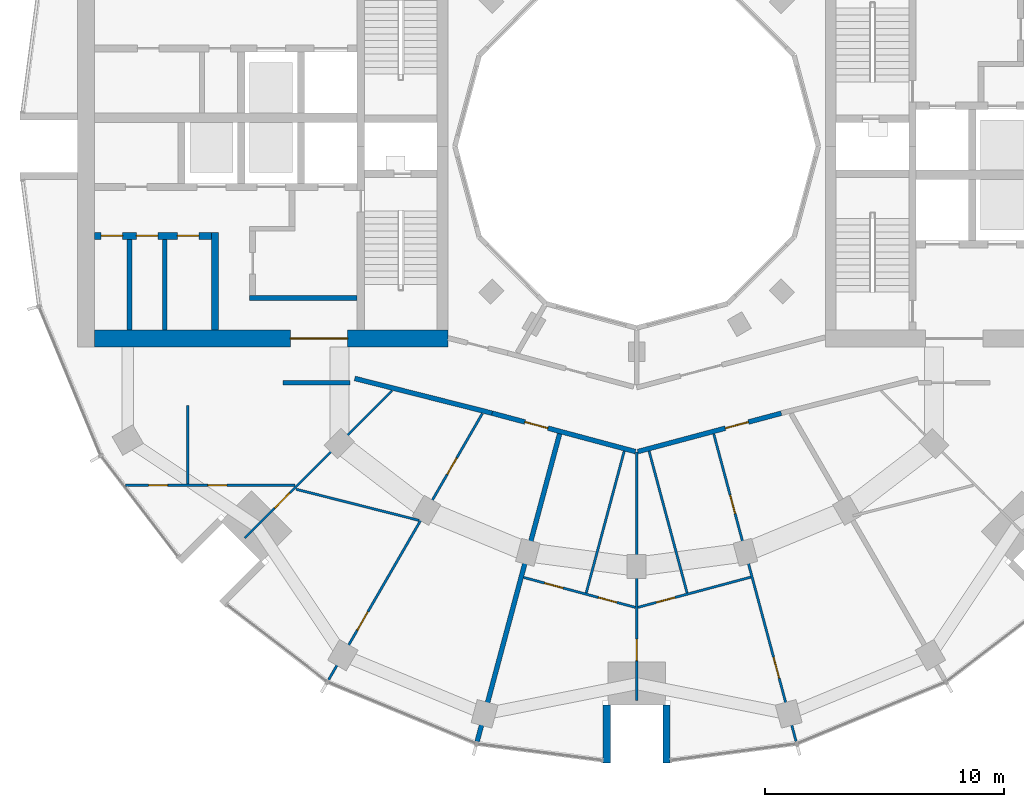
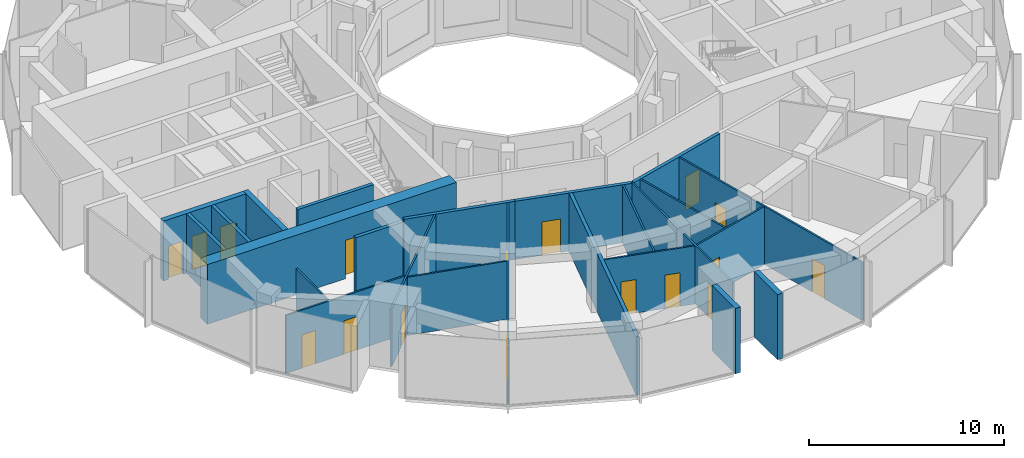
# One storey, part 8 of 15: 24 walls, 17 doors, 17 openings.
"""IFC4 building model written with IfcOpenShell, lengths in metres."""

from ifc_helpers import new_model, si_unit, direction, frame, frame_2d, origin, place, context, subcontext, project, spatial, rectangle, extrude, material, layer, layer_set, type_object, element, fill, save


model = new_model("IFC4")

# Units and contexts
model_context = context("Model", 3, precision=1e-05, world=origin(), true_north=direction((0.0, 1.0)))
body_context = subcontext(model_context, "Body", "Model", "MODEL_VIEW")
ifc_project = project(units=[si_unit("LENGTHUNIT", "METRE"), si_unit("AREAUNIT", "SQUARE_METRE"), si_unit("VOLUMEUNIT", "CUBIC_METRE"), si_unit("PLANEANGLEUNIT", "RADIAN"), si_unit("MASSUNIT", "GRAM", prefix="KILO")], contexts=[model_context])

# Site, building, storey
site_placement = place(None, origin())
site = spatial("IfcSite", under=ifc_project, at=site_placement, CompositionType="ELEMENT")
building_placement = place(site_placement, origin())
building = spatial("IfcBuilding", under=site, at=building_placement, Name="Torre Brocal", CompositionType="ELEMENT")
storey_placement = place(building_placement, frame((0.0, 0.0, 202.800048828125)))
storey = spatial("IfcBuildingStorey", under=building, at=storey_placement, Name="L47", CompositionType="ELEMENT", Elevation=202.800048828125)

# Walls
ifc_material_1 = material(Name="Masonry block", Category="masonry")
ifc_layer_1 = layer(ifc_material_1, 0.199951171875)
ifc_layer_set_1 = layer_set([ifc_layer_1], Name="Masonry block")
wall_type_1 = type_object("IfcWallType", Name="CORE PARTITION 200 UNDER 350 SLAB", PredefinedType="PARTITIONING", material=ifc_layer_set_1)
for number, where, z_axis, x_axis, name in (
    (1, (60.239990234375, 71.10009765625, 0.0), (0.0, 0.0, 1.0), (0.0, -1.0, 0.0), "Wall CP200-S350"),
    (2, (58.77001953125, 71.10009765625, 0.0), (0.0, 0.0, 1.0), (0.0, -1.0, 0.0), "Wall CP200-S350"),
):
    element("IfcWall", number, at=place(storey_placement, frame(where, z_axis=z_axis, x_axis=x_axis)), inside=storey, type_object=wall_type_1, Name=name, PredefinedType="PARTITIONING", context=body_context, shape_type="SweptSolid", body=[
        extrude(rectangle(XDim=3.800048828125, YDim=0.199951171875, at=frame_2d((1.89990234375, 0.0))), origin(), (0.0, 0.0, 1.0), 3.75),
    ])
ifc_material_2 = material(Name="Concrete C70", Category="concrete")
ifc_layer_2 = layer(ifc_material_2, 0.199951171875)
ifc_layer_set_2 = layer_set([ifc_layer_2], Name="Concrete C70")
wall_type_2 = type_object("IfcWallType", Name="CORE WALL 200 C70 UNDER 350 SLAB", PredefinedType="SHEAR", material=ifc_layer_set_2)
wall_1_placement = place(storey_placement, frame((68.300048828125, 68.64990234375, 0.0), z_axis=(0.0, 0.0, 1.0), x_axis=(-1.0, 0.0, 0.0)))
element("IfcWall", 3, at=wall_1_placement, inside=storey, type_object=wall_type_2, Name="Wall CW200-70-S350", PredefinedType="SHEAR", context=body_context, shape_type="SweptSolid", body=[
    extrude(rectangle(XDim=4.5, YDim=0.199951171875, at=frame_2d((2.25, 0.0))), origin(), (0.0, 0.0, 1.0), 3.75),
])
ifc_material_3 = material(Name="Concrete C70", Category="concrete")
ifc_layer_3 = layer(ifc_material_3, 0.300048828125)
ifc_layer_set_3 = layer_set([ifc_layer_3], Name="Concrete C70")
wall_type_3 = type_object("IfcWallType", Name="CORE WALL 300 C70 UNDER 350 SLAB", PredefinedType="SHEAR", material=ifc_layer_set_3)
wall_2_placement = place(storey_placement, frame((62.35009765625, 71.39990234375, 0.0), z_axis=(0.0, 0.0, 1.0), x_axis=(0.0, -1.0, 0.0)))
element("IfcWall", 4, at=wall_2_placement, inside=storey, type_object=wall_type_3, Name="Wall CW300-70-S350", PredefinedType="SHEAR", context=body_context, shape_type="SweptSolid", body=[
    extrude(rectangle(XDim=4.099853515625, YDim=0.300048828125, at=frame_2d((2.0498046875, 0.0))), origin(), (0.0, 0.0, 1.0), 3.75),
])

# Wall, openings, doors
wall_3_placement = place(storey_placement, frame((62.199951171875, 71.25, 0.0), z_axis=(0.0, 0.0, 1.0), x_axis=(-1.0, 0.0, 0.0)))
wall_3 = element("IfcWall", 5, at=wall_3_placement, inside=storey, type_object=wall_type_3, Name="Wall CW300-70-S350", PredefinedType="SHEAR", context=body_context, shape_type="SweptSolid", body=[
    extrude(rectangle(XDim=4.89990234375, YDim=0.300048828125, at=frame_2d((2.449951171875, 0.0))), origin(), (0.0, 0.0, 1.0), 3.75),
])
opening_1_placement = place(wall_3_placement, frame((0.530029296875, 0.0, 0.0)))
opening_1 = element("IfcOpeningElement", 6, at=opening_1_placement, cuts=wall_3, Name="Opening W-D28", PredefinedType="OPENING", context=body_context, shape_type="SweptSolid", body=[
    extrude(rectangle(XDim=0.89990234375, YDim=2.10009765625, at=frame_2d((0.449951171875, 1.050048828125))), frame((0.0, 0.159912109375, 0.0), z_axis=(0.0, -1.0, 0.0), x_axis=(1.0, 0.0, 0.0)), (0.0, 0.0, 1.0), 0.320068359375),
])
opening_2_placement = place(wall_3_placement, frame((2.2451171875, 0.0, 0.0)))
opening_2 = element("IfcOpeningElement", 7, at=opening_2_placement, cuts=wall_3, Name="Opening W-D09", PredefinedType="OPENING", context=body_context, shape_type="SweptSolid", body=[
    extrude(rectangle(XDim=0.89990234375, YDim=2.10009765625, at=frame_2d((0.449951171875, 1.050048828125))), frame((0.0, 0.159912109375, 0.0), z_axis=(0.0, -1.0, 0.0), x_axis=(1.0, 0.0, 0.0)), (0.0, 0.0, 1.0), 0.320068359375),
])
opening_3_placement = place(wall_3_placement, frame((3.715087890625, 0.0, 0.0)))
opening_3 = element("IfcOpeningElement", 8, at=opening_3_placement, cuts=wall_3, Name="Opening W-D10", PredefinedType="OPENING", context=body_context, shape_type="SweptSolid", body=[
    extrude(rectangle(XDim=0.89990234375, YDim=2.10009765625, at=frame_2d((0.449951171875, 1.050048828125))), frame((0.0, 0.159912109375, 0.0), z_axis=(0.0, -1.0, 0.0), x_axis=(1.0, 0.0, 0.0)), (0.0, 0.0, 1.0), 0.320068359375),
])
ifc_material_4 = material(Name="Steel A653", Category="steel")
door_type_1 = type_object("IfcDoorType", Name="ROOM DOOR FD30S 900X2100", OperationType="SINGLE_SWING_LEFT", PredefinedType="DOOR", material=ifc_material_4)
door_1_placement = place(opening_1_placement, origin())
door_1 = element("IfcDoor", 9, at=door_1_placement, inside=storey, type_object=door_type_1, Name="Door W-D28", OperationType="SINGLE_SWING_RIGHT", OverallHeight=2.10009765625, OverallWidth=0.89990234375, PredefinedType="DOOR", context=body_context, shape_type="SweptSolid", body=[
    extrude(rectangle(XDim=0.89990234375, YDim=2.10009765625, at=frame_2d((0.449951171875, 1.050048828125))), frame((0.0, 0.02490234375, 0.0), z_axis=(0.0, -1.0, 0.0), x_axis=(1.0, 0.0, 0.0)), (0.0, 0.0, 1.0), 0.050048828125),
])
fill(opening_1, door_1)
door_2_placement = place(opening_2_placement, origin())
door_2 = element("IfcDoor", 10, at=door_2_placement, inside=storey, type_object=door_type_1, Name="Door W-D09", OperationType="SINGLE_SWING_LEFT", OverallHeight=2.10009765625, OverallWidth=0.89990234375, PredefinedType="DOOR", context=body_context, shape_type="SweptSolid", body=[
    extrude(rectangle(XDim=0.89990234375, YDim=2.10009765625, at=frame_2d((0.449951171875, 1.050048828125))), frame((0.0, 0.02490234375, 0.0), z_axis=(0.0, -1.0, 0.0), x_axis=(1.0, 0.0, 0.0)), (0.0, 0.0, 1.0), 0.050048828125),
])
fill(opening_2, door_2)
door_3_placement = place(opening_3_placement, origin())
door_3 = element("IfcDoor", 11, at=door_3_placement, inside=storey, type_object=door_type_1, Name="Door W-D10", OperationType="SINGLE_SWING_LEFT", OverallHeight=2.10009765625, OverallWidth=0.89990234375, PredefinedType="DOOR", context=body_context, shape_type="SweptSolid", body=[
    extrude(rectangle(XDim=0.89990234375, YDim=2.10009765625, at=frame_2d((0.449951171875, 1.050048828125))), frame((0.0, 0.02490234375, 0.0), z_axis=(0.0, -1.0, 0.0), x_axis=(1.0, 0.0, 0.0)), (0.0, 0.0, 1.0), 0.050048828125),
])
fill(opening_3, door_3)

# Wall, opening, door
ifc_material_5 = material(Name="Concrete C70", Category="concrete")
ifc_layer_4 = layer(ifc_material_5, 0.699951171875)
ifc_layer_set_4 = layer_set([ifc_layer_4], Name="Concrete C70")
wall_type_4 = type_object("IfcWallType", Name="CORE WALL 700 C70 UNDER 350 SLAB", PredefinedType="SHEAR", material=ifc_layer_set_4)
wall_4_placement = place(storey_placement, frame((72.10009765625, 66.949951171875, 0.0), z_axis=(0.0, 0.0, 1.0), x_axis=(-1.0, 0.0, 0.0)))
wall_4 = element("IfcWall", 12, at=wall_4_placement, inside=storey, type_object=wall_type_4, Name="Wall CW700-70-S350", PredefinedType="SHEAR", context=body_context, shape_type="SweptSolid", body=[
    extrude(rectangle(XDim=14.800048828125, YDim=0.699951171875, at=frame_2d((7.39990234375, 0.0))), origin(), (0.0, 0.0, 1.0), 3.75),
])
opening_4_placement = place(wall_4_placement, frame((4.199951171875, 0.0, 0.0)))
opening_4 = element("IfcOpeningElement", 13, at=opening_4_placement, cuts=wall_4, Name="Opening W-D34", PredefinedType="OPENING", context=body_context, shape_type="SweptSolid", body=[
    extrude(rectangle(XDim=2.39990234375, YDim=2.39990234375, at=frame_2d((1.199951171875, 1.199951171875))), frame((0.0, 0.35986328125, 0.0), z_axis=(0.0, -1.0, 0.0), x_axis=(1.0, 0.0, 0.0)), (0.0, 0.0, 1.0), 0.719970703125),
])
ifc_material_6 = material(Name="Steel A653", Category="steel")
door_type_2 = type_object("IfcDoorType", Name="DOUBLE FIRE DOOR FD90 2400X2400", OperationType="DOUBLE_DOOR_SINGLE_SWING", PredefinedType="DOOR", material=ifc_material_6)
door_4_placement = place(opening_4_placement, frame((2.39990234375, 0.0, 0.0), z_axis=(0.0, 0.0, 1.0), x_axis=(-1.0, 0.0, 0.0)))
door_4 = element("IfcDoor", 14, at=door_4_placement, inside=storey, type_object=door_type_2, Name="Door W-D34", OperationType="DOUBLE_DOOR_SINGLE_SWING", OverallHeight=2.39990234375, OverallWidth=2.39990234375, PredefinedType="DOOR", context=body_context, shape_type="SweptSolid", body=[
    extrude(rectangle(XDim=2.39990234375, YDim=2.39990234375, at=frame_2d((1.199951171875, 1.199951171875))), frame((0.0, 0.02490234375, 0.0), z_axis=(0.0, -1.0, 0.0), x_axis=(1.0, 0.0, 0.0)), (0.0, 0.0, 1.0), 0.050048828125),
])
fill(opening_4, door_4)

# Walls
ifc_material_7 = material(Name="Concrete C70", Category="concrete")
ifc_layer_5 = layer(ifc_material_7, 0.300048828125)
ifc_layer_set_5 = layer_set([ifc_layer_5], Name="Concrete C70")
wall_type_5 = type_object("IfcWallType", Name="NOTCH RETURN WALL 300 C70", PredefinedType="NOTDEFINED", material=ifc_layer_set_5)
for number, where, z_axis, x_axis, name in (
    (15, (78.75, 51.60009765625, 0.0), (0.0, 0.0, 1.0), (0.0, -1.0, 0.0), "NOTCH RETURN WALL"),
    (16, (81.25, 51.60009765625, 0.0), (0.0, 0.0, 1.0), (0.0, -1.0, 0.0), "NOTCH RETURN WALL"),
):
    element("IfcWall", number, at=place(storey_placement, frame(where, z_axis=z_axis, x_axis=x_axis)), inside=storey, type_object=wall_type_5, Name=name, PredefinedType="NOTDEFINED", context=body_context, shape_type="SweptSolid", body=[
        extrude(rectangle(XDim=2.415771484375, YDim=0.300048828125, at=frame_2d((1.2080078125, 0.0))), origin(), (0.0, 0.0, 1.0), 4.099853515625),
    ])

# Wall, openings, doors
ifc_material_8 = material(Name="Gypsum board", Category="Gypsum")
ifc_layer_6 = layer(ifc_material_8, 0.10009765625)
ifc_layer_set_6 = layer_set([ifc_layer_6], Name="Gypsum board")
wall_type_6 = type_object("IfcWallType", Name="PARTITION 100", PredefinedType="PARTITIONING", material=ifc_layer_set_6)
wall_5_placement = place(storey_placement, frame((58.60009765625, 60.81201171875, 0.0), z_axis=(0.0, 0.0, 1.0), x_axis=(1.0, 0.0, 0.0)))
wall_5 = element("IfcWall", 17, at=wall_5_placement, inside=storey, type_object=wall_type_6, Name="BATHROOM WALL", PredefinedType="PARTITIONING", context=body_context, shape_type="SweptSolid", body=[
    extrude(rectangle(XDim=7.091796875, YDim=0.10009765625, at=frame_2d((3.5458984375, 0.0))), origin(), (0.0, 0.0, 1.0), 3.64990234375),
])
opening_5_placement = place(wall_5_placement, frame((3.446044921875, 0.0, 0.0)))
opening_5 = element("IfcOpeningElement", 18, at=opening_5_placement, cuts=wall_5, Name="Opening R04-D35", PredefinedType="OPENING", context=body_context, shape_type="SweptSolid", body=[
    extrude(rectangle(XDim=0.800048828125, YDim=2.10009765625, at=frame_2d((0.39990234375, 1.050048828125))), frame((0.0, 0.06005859375, 0.0), z_axis=(0.0, -1.0, 0.0), x_axis=(1.0, 0.0, 0.0)), (0.0, 0.0, 1.0), 0.1201171875),
])
opening_6_placement = place(wall_5_placement, frame((0.965087890625, 0.0, 0.0)))
opening_6 = element("IfcOpeningElement", 19, at=opening_6_placement, cuts=wall_5, Name="Opening R04-D36", PredefinedType="OPENING", context=body_context, shape_type="SweptSolid", body=[
    extrude(rectangle(XDim=0.800048828125, YDim=2.10009765625, at=frame_2d((0.39990234375, 1.050048828125))), frame((0.0, 0.06005859375, 0.0), z_axis=(0.0, -1.0, 0.0), x_axis=(1.0, 0.0, 0.0)), (0.0, 0.0, 1.0), 0.1201171875),
])
ifc_material_9 = material(Name="Timber", Category="wood")
door_type_3 = type_object("IfcDoorType", Name="BATHROOM DOOR 800X2100", OperationType="SINGLE_SWING_LEFT", PredefinedType="DOOR", material=ifc_material_9)
door_5_placement = place(opening_5_placement, origin())
door_5 = element("IfcDoor", 20, at=door_5_placement, inside=storey, type_object=door_type_3, Name="R04-D35", OperationType="SINGLE_SWING_LEFT", OverallHeight=2.10009765625, OverallWidth=0.800048828125, PredefinedType="DOOR", context=body_context, shape_type="SweptSolid", body=[
    extrude(rectangle(XDim=0.800048828125, YDim=2.10009765625, at=frame_2d((0.39990234375, 1.050048828125))), frame((0.0, 0.02490234375, 0.0), z_axis=(0.0, -1.0, 0.0), x_axis=(1.0, 0.0, 0.0)), (0.0, 0.0, 1.0), 0.050048828125),
])
fill(opening_5, door_5)
door_6_placement = place(opening_6_placement, frame((0.800048828125, 0.0, 0.0), z_axis=(0.0, 0.0, 1.0), x_axis=(-1.0, 0.0, 0.0)))
door_6 = element("IfcDoor", 21, at=door_6_placement, inside=storey, type_object=door_type_3, Name="R04-D36", OperationType="SINGLE_SWING_RIGHT", OverallHeight=2.10009765625, OverallWidth=0.800048828125, PredefinedType="DOOR", context=body_context, shape_type="SweptSolid", body=[
    extrude(rectangle(XDim=0.800048828125, YDim=2.10009765625, at=frame_2d((0.39990234375, 1.050048828125))), frame((0.0, 0.02490234375, 0.0), z_axis=(0.0, -1.0, 0.0), x_axis=(1.0, 0.0, 0.0)), (0.0, 0.0, 1.0), 0.050048828125),
])
fill(opening_6, door_6)

# Wall
wall_6_placement = place(storey_placement, frame((61.199951171875, 60.862060546875, 0.0), z_axis=(0.0, 0.0, 1.0), x_axis=(0.0, 1.0, 0.0)))
element("IfcWall", 22, at=wall_6_placement, inside=storey, type_object=wall_type_6, Name="BATHROOM WALL", PredefinedType="PARTITIONING", context=body_context, shape_type="SweptSolid", body=[
    extrude(rectangle(XDim=3.282958984375, YDim=0.10009765625, at=frame_2d((1.6416015625, 0.0))), origin(), (0.0, 0.0, 1.0), 3.64990234375),
])

# Wall, opening, door
wall_7_placement = place(storey_placement, frame((63.591552734375, 58.599609375, 0.0), z_axis=(0.0, 0.0, 1.0), x_axis=(0.707260766325, 0.706952762508, 0.0)))
wall_7 = element("IfcWall", 23, at=wall_7_placement, inside=storey, type_object=wall_type_6, Name="BATHROOM WALL", PredefinedType="PARTITIONING", context=body_context, shape_type="SweptSolid", body=[
    extrude(rectangle(XDim=8.71923828125, YDim=0.10009765625, at=frame_2d((4.359619140625, 0.0))), origin(), (0.0, 0.0, 1.0), 3.64990234375),
])
opening_7_placement = place(wall_7_placement, frame((1.772216796875, 0.0, 0.0)))
opening_7 = element("IfcOpeningElement", 24, at=opening_7_placement, cuts=wall_7, Name="Opening R04-D34", PredefinedType="OPENING", context=body_context, shape_type="SweptSolid", body=[
    extrude(rectangle(XDim=0.89990234375, YDim=2.10009765625, at=frame_2d((0.449951171875, 1.050048828125))), frame((0.0, 0.06005859375, 0.0), z_axis=(0.0, -1.0, 0.0), x_axis=(1.0, 0.0, 0.0)), (0.0, 0.0, 1.0), 0.1201171875),
])
ifc_material_10 = material(Name="Timber", Category="wood")
door_type_4 = type_object("IfcDoorType", Name="ROOM DOOR 900X2100", OperationType="SINGLE_SWING_LEFT", PredefinedType="DOOR", material=ifc_material_10)
door_7_placement = place(opening_7_placement, origin())
door_7 = element("IfcDoor", 25, at=door_7_placement, inside=storey, type_object=door_type_4, Name="R04-D34", OperationType="SINGLE_SWING_LEFT", OverallHeight=2.10009765625, OverallWidth=0.89990234375, PredefinedType="DOOR", context=body_context, shape_type="SweptSolid", body=[
    extrude(rectangle(XDim=0.89990234375, YDim=2.10009765625, at=frame_2d((0.449951171875, 1.050048828125))), frame((0.0, 0.02490234375, 0.0), z_axis=(0.0, -1.0, 0.0), x_axis=(1.0, 0.0, 0.0)), (0.0, 0.0, 1.0), 0.050048828125),
])
fill(opening_7, door_7)

# Wall
wall_8_placement = place(storey_placement, frame((65.739501953125, 60.642333984375, 0.0), z_axis=(0.0, 0.0, 1.0), x_axis=(0.969435742918, -0.245345349156, 0.0)))
element("IfcWall", 26, at=wall_8_placement, inside=storey, type_object=wall_type_6, Name="BATHROOM WALL", PredefinedType="PARTITIONING", context=body_context, shape_type="SweptSolid", body=[
    extrude(rectangle(XDim=5.313720703125, YDim=0.10009765625, at=frame_2d((2.65673828125, 0.0))), origin(), (0.0, 0.0, 1.0), 3.64990234375),
])

# Wall, openings, doors
wall_9_placement = place(storey_placement, frame((67.100830078125, 52.65869140625, 0.0), z_axis=(0.0, 0.0, 1.0), x_axis=(0.500035926033, 0.866004660886, 0.0)))
wall_9 = element("IfcWall", 27, at=wall_9_placement, inside=storey, type_object=wall_type_6, Name="BATHROOM WALL", PredefinedType="PARTITIONING", context=body_context, shape_type="SweptSolid", body=[
    extrude(rectangle(XDim=12.87646484375, YDim=0.10009765625, at=frame_2d((6.438232421875, 0.0))), origin(), (0.0, 0.0, 1.0), 3.64990234375),
])
opening_8_placement = place(wall_9_placement, frame((2.40087890625, 0.0, 0.0)))
opening_8 = element("IfcOpeningElement", 28, at=opening_8_placement, cuts=wall_9, Name="Opening R04-D32", PredefinedType="OPENING", context=body_context, shape_type="SweptSolid", body=[
    extrude(rectangle(XDim=0.89990234375, YDim=2.10009765625, at=frame_2d((0.449951171875, 1.050048828125))), frame((0.0, 0.06005859375, 0.0), z_axis=(0.0, -1.0, 0.0), x_axis=(1.0, 0.0, 0.0)), (0.0, 0.0, 1.0), 0.1201171875),
])
opening_9_placement = place(wall_9_placement, frame((9.93603515625, 0.0, 0.0)))
opening_9 = element("IfcOpeningElement", 29, at=opening_9_placement, cuts=wall_9, Name="Opening R04-D33", PredefinedType="OPENING", context=body_context, shape_type="SweptSolid", body=[
    extrude(rectangle(XDim=0.800048828125, YDim=2.10009765625, at=frame_2d((0.39990234375, 1.050048828125))), frame((0.0, 0.06005859375, 0.0), z_axis=(0.0, -1.0, 0.0), x_axis=(1.0, 0.0, 0.0)), (0.0, 0.0, 1.0), 0.1201171875),
])
door_8_placement = place(opening_9_placement, origin())
door_8 = element("IfcDoor", 30, at=door_8_placement, inside=storey, type_object=door_type_3, Name="R04-D33", OperationType="SINGLE_SWING_RIGHT", OverallHeight=2.10009765625, OverallWidth=0.800048828125, PredefinedType="DOOR", context=body_context, shape_type="SweptSolid", body=[
    extrude(rectangle(XDim=0.800048828125, YDim=2.10009765625, at=frame_2d((0.39990234375, 1.050048828125))), frame((0.0, 0.02490234375, 0.0), z_axis=(0.0, -1.0, 0.0), x_axis=(1.0, 0.0, 0.0)), (0.0, 0.0, 1.0), 0.050048828125),
])
fill(opening_9, door_8)
door_9_placement = place(opening_8_placement, origin())
door_9 = element("IfcDoor", 31, at=door_9_placement, inside=storey, type_object=door_type_4, Name="R04-D32", OperationType="SINGLE_SWING_LEFT", OverallHeight=2.10009765625, OverallWidth=0.89990234375, PredefinedType="DOOR", context=body_context, shape_type="SweptSolid", body=[
    extrude(rectangle(XDim=0.89990234375, YDim=2.10009765625, at=frame_2d((0.449951171875, 1.050048828125))), frame((0.0, 0.02490234375, 0.0), z_axis=(0.0, -1.0, 0.0), x_axis=(1.0, 0.0, 0.0)), (0.0, 0.0, 1.0), 0.050048828125),
])
fill(opening_8, door_9)

wall_10_placement = place(storey_placement, frame((75.266845703125, 56.9501953125, 0.0), z_axis=(0.0, 0.0, 1.0), x_axis=(0.965900084933, -0.25891509405, 0.0)))
wall_10 = element("IfcWall", 32, at=wall_10_placement, inside=storey, type_object=wall_type_6, Name="BATHROOM WALL", PredefinedType="PARTITIONING", context=body_context, shape_type="SweptSolid", body=[
    extrude(rectangle(XDim=4.840087890625, YDim=0.10009765625, at=frame_2d((2.419921875, 0.0))), origin(), (0.0, 0.0, 1.0), 3.64990234375),
])
opening_10_placement = place(wall_10_placement, frame((0.909912109375, 0.0, 0.0)))
opening_10 = element("IfcOpeningElement", 33, at=opening_10_placement, cuts=wall_10, Name="Opening R04-D29", PredefinedType="OPENING", context=body_context, shape_type="SweptSolid", body=[
    extrude(rectangle(XDim=0.800048828125, YDim=2.10009765625, at=frame_2d((0.39990234375, 1.050048828125))), frame((0.0, 0.06005859375, 0.0), z_axis=(0.0, -1.0, 0.0), x_axis=(1.0, 0.0, 0.0)), (0.0, 0.0, 1.0), 0.1201171875),
])
opening_11_placement = place(wall_10_placement, frame((3.240478515625, 0.0, 0.0)))
opening_11 = element("IfcOpeningElement", 34, at=opening_11_placement, cuts=wall_10, Name="Opening R04-D30", PredefinedType="OPENING", context=body_context, shape_type="SweptSolid", body=[
    extrude(rectangle(XDim=0.800048828125, YDim=2.10009765625, at=frame_2d((0.39990234375, 1.050048828125))), frame((0.0, 0.06005859375, 0.0), z_axis=(0.0, -1.0, 0.0), x_axis=(1.0, 0.0, 0.0)), (0.0, 0.0, 1.0), 0.1201171875),
])
door_10_placement = place(opening_10_placement, origin())
door_10 = element("IfcDoor", 35, at=door_10_placement, inside=storey, type_object=door_type_3, Name="R04-D29", OperationType="SINGLE_SWING_LEFT", OverallHeight=2.10009765625, OverallWidth=0.800048828125, PredefinedType="DOOR", context=body_context, shape_type="SweptSolid", body=[
    extrude(rectangle(XDim=0.800048828125, YDim=2.10009765625, at=frame_2d((0.39990234375, 1.050048828125))), frame((0.0, 0.02490234375, 0.0), z_axis=(0.0, -1.0, 0.0), x_axis=(1.0, 0.0, 0.0)), (0.0, 0.0, 1.0), 0.050048828125),
])
fill(opening_10, door_10)
door_11_placement = place(opening_11_placement, frame((0.800048828125, 0.0, 0.0), z_axis=(0.0, 0.0, 1.0), x_axis=(-1.0, 0.0, 0.0)))
door_11 = element("IfcDoor", 36, at=door_11_placement, inside=storey, type_object=door_type_3, Name="R04-D30", OperationType="SINGLE_SWING_LEFT", OverallHeight=2.10009765625, OverallWidth=0.800048828125, PredefinedType="DOOR", context=body_context, shape_type="SweptSolid", body=[
    extrude(rectangle(XDim=0.800048828125, YDim=2.10009765625, at=frame_2d((0.39990234375, 1.050048828125))), frame((0.0, 0.02490234375, 0.0), z_axis=(0.0, -1.0, 0.0), x_axis=(1.0, 0.0, 0.0)), (0.0, 0.0, 1.0), 0.050048828125),
])
fill(opening_11, door_11)

# Wall
wall_11_placement = place(storey_placement, frame((77.887939453125, 56.299560546875, 0.0), z_axis=(0.0, 0.0, 1.0), x_axis=(0.258885575383, 0.965907997098, 0.0)))
element("IfcWall", 37, at=wall_11_placement, inside=storey, type_object=wall_type_6, Name="BATHROOM WALL", PredefinedType="PARTITIONING", context=body_context, shape_type="SweptSolid", body=[
    extrude(rectangle(XDim=6.149658203125, YDim=0.10009765625, at=frame_2d((3.07470703125, 0.0))), origin(), (0.0, 0.0, 1.0), 3.64990234375),
])

# Wall, opening, door
wall_12_placement = place(storey_placement, frame((80.0, 51.800048828125, 0.0), z_axis=(0.0, 0.0, 1.0), x_axis=(0.0, 1.0, 0.0)))
wall_12 = element("IfcWall", 38, at=wall_12_placement, inside=storey, type_object=wall_type_6, Name="BATHROOM WALL", PredefinedType="PARTITIONING", context=body_context, shape_type="SweptSolid", body=[
    extrude(rectangle(XDim=10.404052734375, YDim=0.10009765625, at=frame_2d((5.2021484375, 0.0))), origin(), (0.0, 0.0, 1.0), 3.64990234375),
])
opening_12_placement = place(wall_12_placement, frame((1.666015625, 0.0, 0.0)))
opening_12 = element("IfcOpeningElement", 39, at=opening_12_placement, cuts=wall_12, Name="Opening R04-D28", PredefinedType="OPENING", context=body_context, shape_type="SweptSolid", body=[
    extrude(rectangle(XDim=0.89990234375, YDim=2.10009765625, at=frame_2d((0.449951171875, 1.050048828125))), frame((0.0, 0.06005859375, 0.0), z_axis=(0.0, -1.0, 0.0), x_axis=(1.0, 0.0, 0.0)), (0.0, 0.0, 1.0), 0.1201171875),
])
door_12_placement = place(opening_12_placement, origin())
door_12 = element("IfcDoor", 40, at=door_12_placement, inside=storey, type_object=door_type_4, Name="R04-D28", OperationType="SINGLE_SWING_RIGHT", OverallHeight=2.10009765625, OverallWidth=0.89990234375, PredefinedType="DOOR", context=body_context, shape_type="SweptSolid", body=[
    extrude(rectangle(XDim=0.89990234375, YDim=2.10009765625, at=frame_2d((0.449951171875, 1.050048828125))), frame((0.0, 0.02490234375, 0.0), z_axis=(0.0, -1.0, 0.0), x_axis=(1.0, 0.0, 0.0)), (0.0, 0.0, 1.0), 0.050048828125),
])
fill(opening_12, door_12)

wall_13_placement = place(storey_placement, frame((80.057861328125, 55.697509765625, 0.0), z_axis=(0.0, 0.0, 1.0), x_axis=(0.965970105839, 0.258653734992, 0.0)))
wall_13 = element("IfcWall", 41, at=wall_13_placement, inside=storey, type_object=wall_type_6, Name="BATHROOM WALL", PredefinedType="PARTITIONING", context=body_context, shape_type="SweptSolid", body=[
    extrude(rectangle(XDim=4.890380859375, YDim=0.10009765625, at=frame_2d((2.4453125, 0.0))), origin(), (0.0, 0.0, 1.0), 3.64990234375),
])
opening_13_placement = place(wall_13_placement, frame((0.7998046875, 0.0, 0.0)))
opening_13 = element("IfcOpeningElement", 42, at=opening_13_placement, cuts=wall_13, Name="Opening R04-D26", PredefinedType="OPENING", context=body_context, shape_type="SweptSolid", body=[
    extrude(rectangle(XDim=0.800048828125, YDim=2.10009765625, at=frame_2d((0.39990234375, 1.050048828125))), frame((0.0, 0.06005859375, 0.0), z_axis=(0.0, -1.0, 0.0), x_axis=(1.0, 0.0, 0.0)), (0.0, 0.0, 1.0), 0.1201171875),
])
door_13_placement = place(opening_13_placement, origin())
door_13 = element("IfcDoor", 43, at=door_13_placement, inside=storey, type_object=door_type_3, Name="R04-D26", OperationType="SINGLE_SWING_RIGHT", OverallHeight=2.10009765625, OverallWidth=0.800048828125, PredefinedType="DOOR", context=body_context, shape_type="SweptSolid", body=[
    extrude(rectangle(XDim=0.800048828125, YDim=2.10009765625, at=frame_2d((0.39990234375, 1.050048828125))), frame((0.0, 0.02490234375, 0.0), z_axis=(0.0, -1.0, 0.0), x_axis=(1.0, 0.0, 0.0)), (0.0, 0.0, 1.0), 0.050048828125),
])
fill(opening_13, door_13)

# Wall
wall_14_placement = place(storey_placement, frame((80.52001953125, 62.239501953125, 0.0), z_axis=(0.0, 0.0, 1.0), x_axis=(0.258885575383, -0.965907997098, 0.0)))
element("IfcWall", 44, at=wall_14_placement, inside=storey, type_object=wall_type_6, Name="BATHROOM WALL", PredefinedType="PARTITIONING", context=body_context, shape_type="SweptSolid", body=[
    extrude(rectangle(XDim=6.149658203125, YDim=0.10009765625, at=frame_2d((3.07470703125, 0.0))), origin(), (0.0, 0.0, 1.0), 3.64990234375),
])

# Wall, openings, doors
wall_15_placement = place(storey_placement, frame((83.22802734375, 62.954833984375, 0.0), z_axis=(0.0, 0.0, 1.0), x_axis=(0.258737611245, -0.965947642746, 0.0)))
wall_15 = element("IfcWall", 45, at=wall_15_placement, inside=storey, type_object=wall_type_6, Name="BATHROOM WALL", PredefinedType="PARTITIONING", context=body_context, shape_type="SweptSolid", body=[
    extrude(rectangle(XDim=13.328125, YDim=0.10009765625, at=frame_2d((6.6640625, 0.0))), origin(), (0.0, 0.0, 1.0), 3.64990234375),
])
opening_14_placement = place(wall_15_placement, frame((9.68408203125, 0.0, 0.0)))
opening_14 = element("IfcOpeningElement", 46, at=opening_14_placement, cuts=wall_15, Name="Opening R04-D25", PredefinedType="OPENING", context=body_context, shape_type="SweptSolid", body=[
    extrude(rectangle(XDim=0.89990234375, YDim=2.10009765625, at=frame_2d((0.449951171875, 1.050048828125))), frame((0.0, 0.06005859375, 0.0), z_axis=(0.0, -1.0, 0.0), x_axis=(1.0, 0.0, 0.0)), (0.0, 0.0, 1.0), 0.1201171875),
])
opening_15_placement = place(wall_15_placement, frame((2.649658203125, 0.0, 0.0)))
opening_15 = element("IfcOpeningElement", 47, at=opening_15_placement, cuts=wall_15, Name="Opening R04-D27", PredefinedType="OPENING", context=body_context, shape_type="SweptSolid", body=[
    extrude(rectangle(XDim=0.800048828125, YDim=2.10009765625, at=frame_2d((0.39990234375, 1.050048828125))), frame((0.0, 0.06005859375, 0.0), z_axis=(0.0, -1.0, 0.0), x_axis=(1.0, 0.0, 0.0)), (0.0, 0.0, 1.0), 0.1201171875),
])
door_14_placement = place(opening_15_placement, frame((0.800048828125, 0.0, 0.0), z_axis=(0.0, 0.0, 1.0), x_axis=(-1.0, 0.0, 0.0)))
door_14 = element("IfcDoor", 48, at=door_14_placement, inside=storey, type_object=door_type_3, Name="R04-D27", OperationType="SINGLE_SWING_LEFT", OverallHeight=2.10009765625, OverallWidth=0.800048828125, PredefinedType="DOOR", context=body_context, shape_type="SweptSolid", body=[
    extrude(rectangle(XDim=0.800048828125, YDim=2.10009765625, at=frame_2d((0.39990234375, 1.050048828125))), frame((0.0, 0.02490234375, 0.0), z_axis=(0.0, -1.0, 0.0), x_axis=(1.0, 0.0, 0.0)), (0.0, 0.0, 1.0), 0.050048828125),
])
fill(opening_15, door_14)
door_15_placement = place(opening_14_placement, origin())
door_15 = element("IfcDoor", 49, at=door_15_placement, inside=storey, type_object=door_type_4, Name="R04-D25", OperationType="SINGLE_SWING_RIGHT", OverallHeight=2.10009765625, OverallWidth=0.89990234375, PredefinedType="DOOR", context=body_context, shape_type="SweptSolid", body=[
    extrude(rectangle(XDim=0.89990234375, YDim=2.10009765625, at=frame_2d((0.449951171875, 1.050048828125))), frame((0.0, 0.02490234375, 0.0), z_axis=(0.0, -1.0, 0.0), x_axis=(1.0, 0.0, 0.0)), (0.0, 0.0, 1.0), 0.050048828125),
])
fill(opening_14, door_15)

# Walls
ifc_material_11 = material(Name="Gypsum board", Category="Gypsum")
ifc_layer_7 = layer(ifc_material_11, 0.199951171875)
ifc_layer_set_7 = layer_set([ifc_layer_7], Name="Gypsum board")
wall_type_7 = type_object("IfcWallType", Name="PARTITION 200 EI60", PredefinedType="PARTITIONING", material=ifc_layer_set_7)
wall_16_placement = place(storey_placement, frame((65.199951171875, 65.10009765625, 0.0), z_axis=(0.0, 0.0, 1.0), x_axis=(1.0, 0.0, 0.0)))
element("IfcWall", 50, at=wall_16_placement, inside=storey, type_object=wall_type_7, Name="GUESTROOM CORRIDOR WALL", PredefinedType="PARTITIONING", context=body_context, shape_type="SweptSolid", body=[
    extrude(rectangle(XDim=2.800048828125, YDim=0.199951171875, at=frame_2d((1.39990234375, 0.0))), origin(), (0.0, 0.0, 1.0), 3.64990234375),
])
wall_17_placement = place(storey_placement, frame((68.199951171875, 65.280029296875, 0.0), z_axis=(0.0, 0.0, 1.0), x_axis=(0.969450596516, -0.245286650503, 0.0)))
element("IfcWall", 51, at=wall_17_placement, inside=storey, type_object=wall_type_7, Name="FLAT ENTRANCE WALL", PredefinedType="PARTITIONING", context=body_context, shape_type="SweptSolid", body=[
    extrude(rectangle(XDim=5.92822265625, YDim=0.199951171875, at=frame_2d((2.964111328125, 0.0))), origin(), (0.0, 0.0, 1.0), 3.64990234375),
])
wall_18_placement = place(storey_placement, frame((73.322509765625, 50.080810546875, 0.0), z_axis=(0.0, 0.0, 1.0), x_axis=(0.258888262922, 0.965907276772, 0.0)))
element("IfcWall", 52, at=wall_18_placement, inside=storey, type_object=wall_type_7, Name="BATHROOM WALL", PredefinedType="PARTITIONING", context=body_context, shape_type="SweptSolid", body=[
    extrude(rectangle(XDim=13.33837890625, YDim=0.199951171875, at=frame_2d((6.669189453125, 0.0))), origin(), (0.0, 0.0, 1.0), 3.64990234375),
])

# Wall, opening, door
wall_19_placement = place(storey_placement, frame((73.947021484375, 63.825927734375, 0.0), z_axis=(0.0, 0.0, 1.0), x_axis=(0.965908253407, -0.258884619088, 0.0)))
wall_19 = element("IfcWall", 53, at=wall_19_placement, inside=storey, type_object=wall_type_7, Name="FLAT ENTRANCE WALL", PredefinedType="PARTITIONING", context=body_context, shape_type="SweptSolid", body=[
    extrude(rectangle(XDim=6.216552734375, YDim=0.199951171875, at=frame_2d((3.1083984375, 0.0))), origin(), (0.0, 0.0, 1.0), 3.64990234375),
])
opening_16_placement = place(wall_19_placement, frame((1.42431640625, 0.0, 0.0)))
opening_16 = element("IfcOpeningElement", 54, at=opening_16_placement, cuts=wall_19, Name="Opening R04-D31", PredefinedType="OPENING", context=body_context, shape_type="SweptSolid", body=[
    extrude(rectangle(XDim=1.0, YDim=2.10009765625, at=frame_2d((0.5, 1.050048828125))), frame((0.0, 0.10986328125, 0.0), z_axis=(0.0, -1.0, 0.0), x_axis=(1.0, 0.0, 0.0)), (0.0, 0.0, 1.0), 0.219970703125),
])
ifc_material_12 = material(Name="Timber", Category="wood")
door_type_5 = type_object("IfcDoorType", Name="FLAT ENTRY DOOR FD30S 1000X2100", OperationType="SINGLE_SWING_RIGHT", PredefinedType="DOOR", material=ifc_material_12)
door_16_placement = place(opening_16_placement, frame((1.0, 0.0, 0.0), z_axis=(0.0, 0.0, 1.0), x_axis=(-1.0, 0.0, 0.0)))
door_16 = element("IfcDoor", 55, at=door_16_placement, inside=storey, type_object=door_type_5, Name="R04-D31", OperationType="SINGLE_SWING_LEFT", OverallHeight=2.10009765625, OverallWidth=1.0, PredefinedType="DOOR", context=body_context, shape_type="SweptSolid", body=[
    extrude(rectangle(XDim=1.0, YDim=2.10009765625, at=frame_2d((0.5, 1.050048828125))), frame((0.0, 0.02490234375, 0.0), z_axis=(0.0, -1.0, 0.0), x_axis=(1.0, 0.0, 0.0)), (0.0, 0.0, 1.0), 0.050048828125),
])
fill(opening_16, door_16)

wall_20_placement = place(storey_placement, frame((80.048095703125, 62.21728515625, 0.0), z_axis=(0.0, 0.0, 1.0), x_axis=(0.966097920642, 0.258175923996, 0.0)))
wall_20 = element("IfcWall", 56, at=wall_20_placement, inside=storey, type_object=wall_type_7, Name="FLAT ENTRANCE WALL", PredefinedType="PARTITIONING", context=body_context, shape_type="SweptSolid", body=[
    extrude(rectangle(XDim=6.216552734375, YDim=0.199951171875, at=frame_2d((3.1083984375, 0.0))), origin(), (0.0, 0.0, 1.0), 3.64990234375),
])
opening_17_placement = place(wall_20_placement, frame((3.792236328125, 0.0, 0.0)))
opening_17 = element("IfcOpeningElement", 57, at=opening_17_placement, cuts=wall_20, Name="Opening R04-D24", PredefinedType="OPENING", context=body_context, shape_type="SweptSolid", body=[
    extrude(rectangle(XDim=1.0, YDim=2.10009765625, at=frame_2d((0.5, 1.050048828125))), frame((0.0, 0.10986328125, 0.0), z_axis=(0.0, -1.0, 0.0), x_axis=(1.0, 0.0, 0.0)), (0.0, 0.0, 1.0), 0.219970703125),
])
door_17_placement = place(opening_17_placement, frame((1.0, 0.0, 0.0), z_axis=(0.0, 0.0, 1.0), x_axis=(-1.0, 0.0, 0.0)))
door_17 = element("IfcDoor", 58, at=door_17_placement, inside=storey, type_object=door_type_5, Name="R04-D24", OperationType="SINGLE_SWING_RIGHT", OverallHeight=2.10009765625, OverallWidth=1.0, PredefinedType="DOOR", context=body_context, shape_type="SweptSolid", body=[
    extrude(rectangle(XDim=1.0, YDim=2.10009765625, at=frame_2d((0.5, 1.050048828125))), frame((0.0, 0.02490234375, 0.0), z_axis=(0.0, -1.0, 0.0), x_axis=(1.0, 0.0, 0.0)), (0.0, 0.0, 1.0), 0.050048828125),
])
fill(opening_17, door_17)

save(model, "model.ifc")
